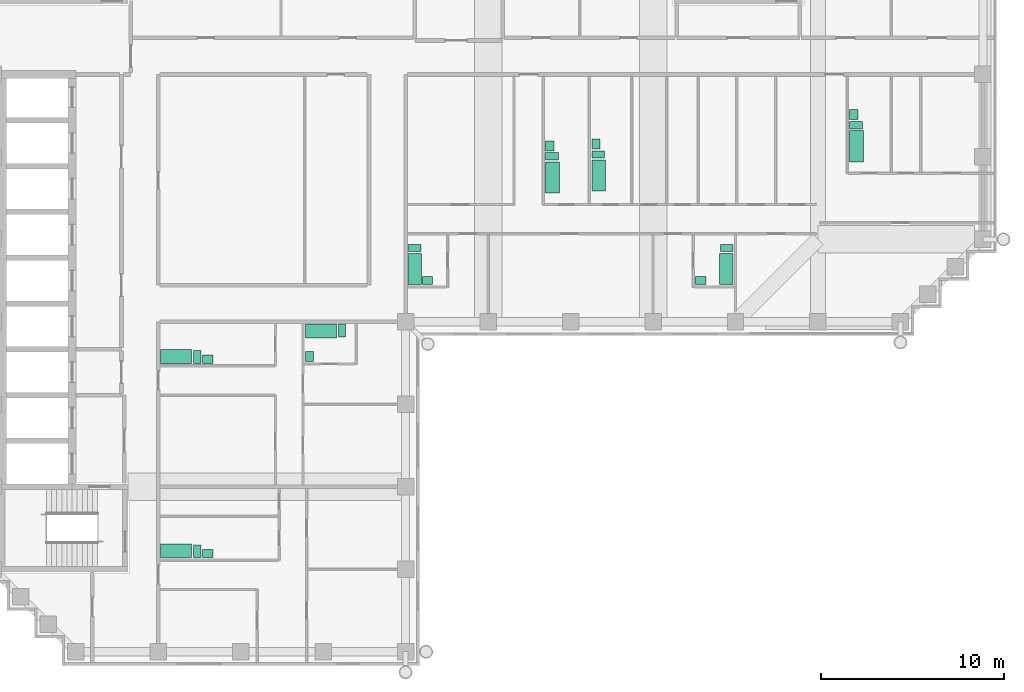
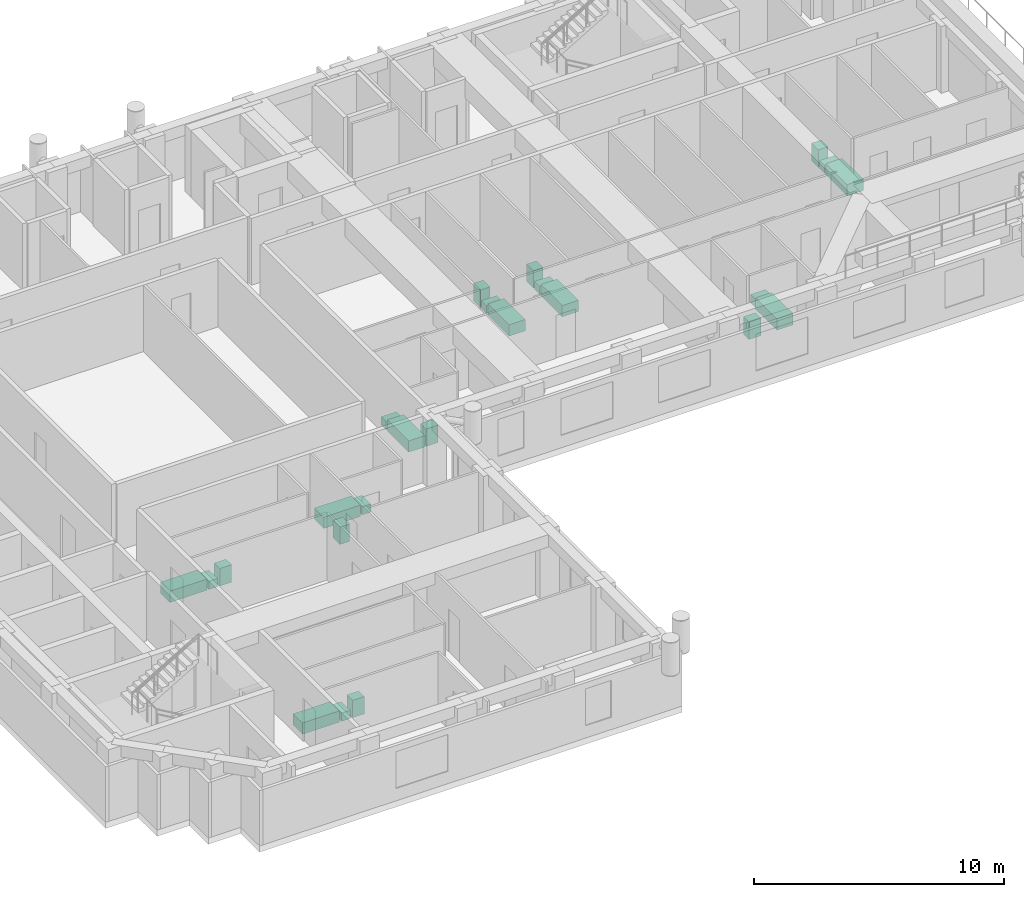
# One storey, part 9 of 9: 24 sanitary terminals.
"""IFC4 building model written with IfcOpenShell, lengths in metres."""

from ifc_helpers import new_model, si_unit, direction, frame, origin, origin_2d, place, context, subcontext, project, spatial, rectangle, extrude, material, type_object, element, save


model = new_model("IFC4")

# Units and contexts
model_context = context("Model", 3, precision=1e-05, world=origin(), true_north=direction((0.0, 1.0)))
body_context = subcontext(model_context, "Body", "Model", "MODEL_VIEW")
ifc_project = project(units=[si_unit("LENGTHUNIT", "METRE"), si_unit("AREAUNIT", "SQUARE_METRE"), si_unit("VOLUMEUNIT", "CUBIC_METRE"), si_unit("PLANEANGLEUNIT", "RADIAN"), si_unit("MASSUNIT", "GRAM", prefix="KILO")], contexts=[model_context])

# Site, building, storey
site_placement = place(None, origin())
site = spatial("IfcSite", under=ifc_project, at=site_placement, CompositionType="ELEMENT")
building_placement = place(site_placement, origin())
building = spatial("IfcBuilding", under=site, at=building_placement, Name="Firuza Court", CompositionType="ELEMENT")
storey_placement = place(building_placement, frame((0.0, 0.0, 229.39990234375)))
storey = spatial("IfcBuildingStorey", under=building, at=storey_placement, Name="L59", CompositionType="ELEMENT", Elevation=229.39990234375)

# Sanitary terminals
ifc_material_1 = material(Name="Vitreous china", Category="ceramic")
sanitary_terminal_type_1 = type_object("IfcSanitaryTerminalType", Name="Fixture Bath", PredefinedType="BATH", material=ifc_material_1)
for number, where, z_axis, x_axis, name in (
    (1, (30.5205078125, 43.8798828125, 0.0), (0.0, 0.0, 1.0), (1.0, 0.0, 0.0), "Bath"),
    (2, (33.03271484375, 43.97998046875, 0.0), (0.0, 0.0, 1.0), (1.0, 0.0, 0.0), "Bath"),
    (3, (23.0048828125, 38.8798828125, 0.0), (0.0, 0.0, 1.0), (1.0, 0.0, 0.0), "Bath"),
    (4, (39.9951171875, 38.8798828125, 0.0), (0.0, 0.0, 1.0), (1.0, 0.0, 0.0), "Bath"),
    (5, (47.10498046875, 45.580078125, 0.0), (0.0, 0.0, 1.0), (1.0, 0.0, 0.0), "Bath"),
):
    element("IfcSanitaryTerminal", number, at=place(storey_placement, frame(where, z_axis=z_axis, x_axis=x_axis)), inside=storey, type_object=sanitary_terminal_type_1, Name=name, PredefinedType="BATH", context=body_context, shape_type="SweptSolid", body=[
        extrude(rectangle(XDim=0.75, YDim=1.699951171875, at=origin_2d()), origin(), (0.0, 0.0, 1.0), 0.550048828125),
    ])
for number, where, z_axis, x_axis, name in (
    (6, (9.97998046875, 34.10498046875, 0.0), (0.0, 0.0, 1.0), (1.0, 0.0, 0.0), "Bath"),
    (7, (17.8798828125, 35.4951171875, 0.0), (0.0, 0.0, 1.0), (1.0, 0.0, 0.0), "Bath"),
    (8, (9.97998046875, 23.5048828125, 0.0), (0.0, 0.0, 1.0), (1.0, 0.0, 0.0), "Bath"),
):
    element("IfcSanitaryTerminal", number, at=place(storey_placement, frame(where, z_axis=z_axis, x_axis=x_axis)), inside=storey, type_object=sanitary_terminal_type_1, Name=name, PredefinedType="BATH", context=body_context, shape_type="SweptSolid", body=[
        extrude(rectangle(XDim=1.699951171875, YDim=0.75, at=origin_2d()), origin(), (0.0, 0.0, 1.0), 0.550048828125),
    ])
ifc_material_2 = material(Name="Vitreous china", Category="ceramic")
sanitary_terminal_type_2 = type_object("IfcSanitaryTerminalType", Name="Fixture WC pan", PredefinedType="TOILETPAN", material=ifc_material_2)
for number, where, z_axis, x_axis, name in (
    (9, (30.49560546875, 45.030029296875, 0.000244140625), (0.0, 0.0, 1.0), (1.0, 0.0, 0.0), "WC pan"),
    (10, (33.007568359375, 45.1298828125, 0.000244140625), (0.0, 0.0, 1.0), (1.0, 0.0, 0.0), "WC pan"),
    (11, (22.97998046875, 40.030029296875, 0.000244140625), (0.0, 0.0, 1.0), (1.0, 0.0, 0.0), "WC pan"),
    (12, (40.02001953125, 40.030029296875, 0.000244140625), (0.0, 0.0, 1.0), (1.0, 0.0, 0.0), "WC pan"),
    (13, (47.080078125, 46.72998046875, 0.000244140625), (0.0, 0.0, 1.0), (1.0, 0.0, 0.0), "WC pan"),
):
    element("IfcSanitaryTerminal", number, at=place(storey_placement, frame(where, z_axis=z_axis, x_axis=x_axis)), inside=storey, type_object=sanitary_terminal_type_2, Name=name, PredefinedType="TOILETPAN", context=body_context, shape_type="SweptSolid", body=[
        extrude(rectangle(XDim=0.699951171875, YDim=0.39990234375, at=origin_2d()), origin(), (0.0, 0.0, 1.0), 0.39990234375),
    ])
for number, where, z_axis, x_axis, name in (
    (14, (11.1298828125, 34.080078125, 0.000244140625), (0.0, 0.0, 1.0), (1.0, 0.0, 0.0), "WC pan"),
    (15, (19.030029296875, 35.52001953125, 0.000244140625), (0.0, 0.0, 1.0), (1.0, 0.0, 0.0), "WC pan"),
    (16, (11.1298828125, 23.47998046875, 0.000244140625), (0.0, 0.0, 1.0), (1.0, 0.0, 0.0), "WC pan"),
):
    element("IfcSanitaryTerminal", number, at=place(storey_placement, frame(where, z_axis=z_axis, x_axis=x_axis)), inside=storey, type_object=sanitary_terminal_type_2, Name=name, PredefinedType="TOILETPAN", context=body_context, shape_type="SweptSolid", body=[
        extrude(rectangle(XDim=0.39990234375, YDim=0.699951171875, at=origin_2d()), origin(), (0.0, 0.0, 1.0), 0.39990234375),
    ])
ifc_material_3 = material(Name="Vitreous china", Category="ceramic")
sanitary_terminal_type_3 = type_object("IfcSanitaryTerminalType", Name="Fixture Washbasin", PredefinedType="WASHHANDBASIN", material=ifc_material_3)
for number, where, z_axis, x_axis, name in (
    (17, (30.37060546875, 45.60498046875, 0.0), (0.0, 0.0, 1.0), (1.0, 0.0, 0.0), "Washbasin"),
    (18, (32.882568359375, 45.705078125, 0.0), (0.0, 0.0, 1.0), (1.0, 0.0, 0.0), "Washbasin"),
):
    element("IfcSanitaryTerminal", number, at=place(storey_placement, frame(where, z_axis=z_axis, x_axis=x_axis)), inside=storey, type_object=sanitary_terminal_type_3, Name=name, PredefinedType="WASHHANDBASIN", context=body_context, shape_type="SweptSolid", body=[
        extrude(rectangle(XDim=0.449951171875, YDim=0.550048828125, at=origin_2d()), origin(), (0.0, 0.0, 1.0), 0.85009765625),
    ])
for number, where, z_axis, x_axis, name in (
    (19, (23.705078125, 38.2548828125, 0.0), (0.0, 0.0, 1.0), (1.0, 0.0, 0.0), "Washbasin"),
    (20, (38.60498046875, 38.2548828125, 0.0), (0.0, 0.0, 1.0), (1.0, 0.0, 0.0), "Washbasin"),
):
    element("IfcSanitaryTerminal", number, at=place(storey_placement, frame(where, z_axis=z_axis, x_axis=x_axis)), inside=storey, type_object=sanitary_terminal_type_3, Name=name, PredefinedType="WASHHANDBASIN", context=body_context, shape_type="SweptSolid", body=[
        extrude(rectangle(XDim=0.550048828125, YDim=0.449951171875, at=origin_2d()), origin(), (0.0, 0.0, 1.0), 0.85009765625),
    ])
sanitary_terminal_1_placement = place(storey_placement, frame((46.955078125, 47.304931640625, 0.0), z_axis=(0.0, 0.0, 1.0), x_axis=(1.0, 0.0, 0.0)))
element("IfcSanitaryTerminal", 21, at=sanitary_terminal_1_placement, inside=storey, type_object=sanitary_terminal_type_3, Name="Washbasin", PredefinedType="WASHHANDBASIN", context=body_context, shape_type="SweptSolid", body=[
    extrude(rectangle(XDim=0.449951171875, YDim=0.550048828125, at=origin_2d()), origin(), (0.0, 0.0, 1.0), 0.85009765625),
])
sanitary_terminal_2_placement = place(storey_placement, frame((11.705078125, 33.955078125, 0.0), z_axis=(0.0, 0.0, 1.0), x_axis=(1.0, 0.0, 0.0)))
element("IfcSanitaryTerminal", 22, at=sanitary_terminal_2_placement, inside=storey, type_object=sanitary_terminal_type_3, Name="Washbasin", PredefinedType="WASHHANDBASIN", context=body_context, shape_type="SweptSolid", body=[
    extrude(rectangle(XDim=0.550048828125, YDim=0.449951171875, at=origin_2d()), origin(), (0.0, 0.0, 1.0), 0.85009765625),
])
sanitary_terminal_3_placement = place(storey_placement, frame((17.2548828125, 34.10498046875, 0.0), z_axis=(0.0, 0.0, 1.0), x_axis=(1.0, 0.0, 0.0)))
element("IfcSanitaryTerminal", 23, at=sanitary_terminal_3_placement, inside=storey, type_object=sanitary_terminal_type_3, Name="Washbasin", PredefinedType="WASHHANDBASIN", context=body_context, shape_type="SweptSolid", body=[
    extrude(rectangle(XDim=0.449951171875, YDim=0.550048828125, at=origin_2d()), origin(), (0.0, 0.0, 1.0), 0.85009765625),
])
sanitary_terminal_4_placement = place(storey_placement, frame((11.705078125, 23.35498046875, 0.0), z_axis=(0.0, 0.0, 1.0), x_axis=(1.0, 0.0, 0.0)))
element("IfcSanitaryTerminal", 24, at=sanitary_terminal_4_placement, inside=storey, type_object=sanitary_terminal_type_3, Name="Washbasin", PredefinedType="WASHHANDBASIN", context=body_context, shape_type="SweptSolid", body=[
    extrude(rectangle(XDim=0.550048828125, YDim=0.449951171875, at=origin_2d()), origin(), (0.0, 0.0, 1.0), 0.85009765625),
])

save(model, "model.ifc")
